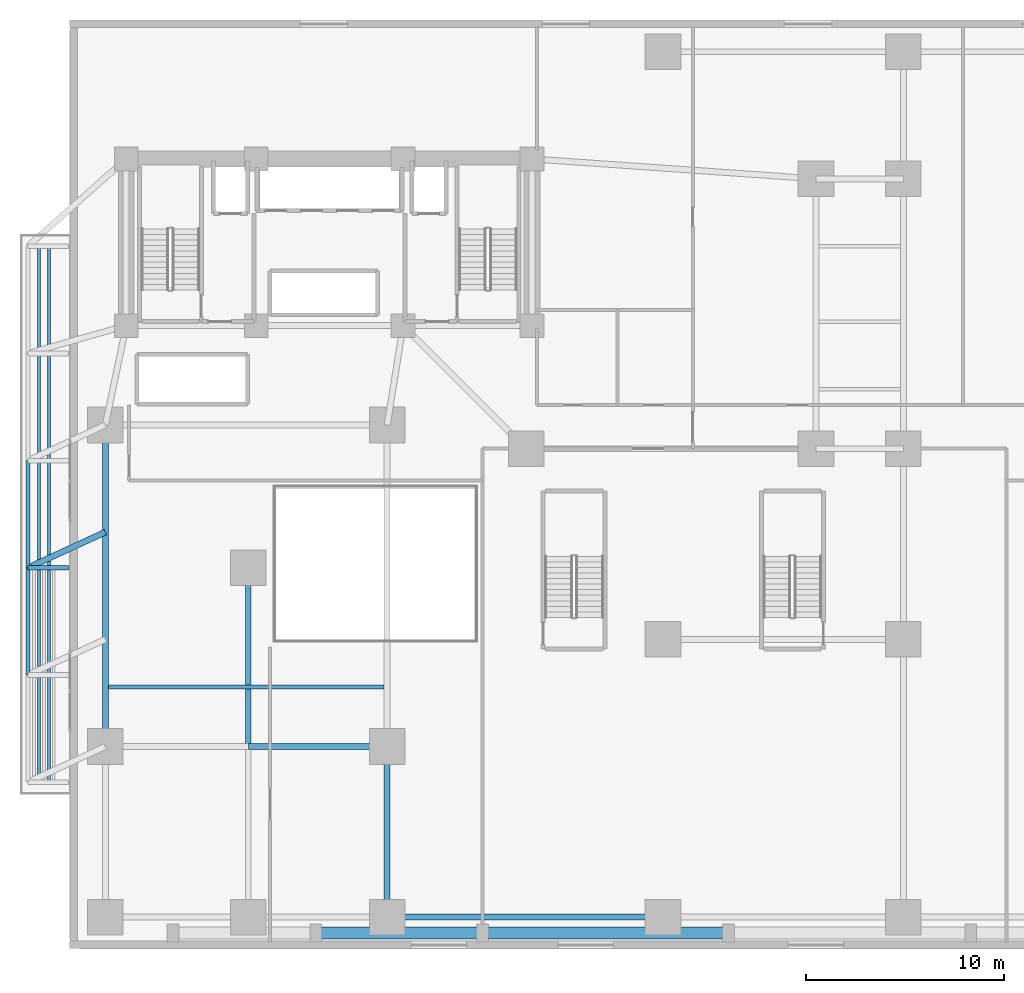
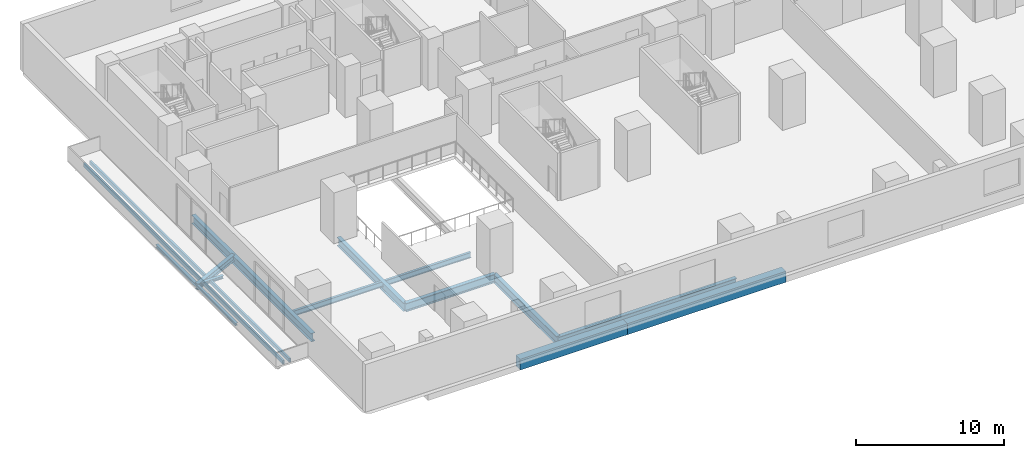
# One storey, part 3 of 13: 12 beams, 2 members.
"""IFC4 building model written with IfcOpenShell, lengths in metres."""

from ifc_helpers import new_model, si_unit, direction, frame, origin, origin_2d, place, context, subcontext, project, spatial, rectangle, hollow_rectangle, i_section, extrude, material, material_profile, profile_set, type_object, element, save


model = new_model("IFC4")

# Units and contexts
model_context = context("Model", 3, precision=1e-05, world=origin(), true_north=direction((0.0, 1.0)))
body_context = subcontext(model_context, "Body", "Model", "MODEL_VIEW")
ifc_project = project(units=[si_unit("LENGTHUNIT", "METRE"), si_unit("AREAUNIT", "SQUARE_METRE"), si_unit("VOLUMEUNIT", "CUBIC_METRE"), si_unit("PLANEANGLEUNIT", "RADIAN"), si_unit("MASSUNIT", "GRAM", prefix="KILO")], contexts=[model_context])

# Site, building, storey
site_placement = place(None, origin())
site = spatial("IfcSite", under=ifc_project, at=site_placement, CompositionType="ELEMENT")
building_placement = place(site_placement, origin())
building = spatial("IfcBuilding", under=site, at=building_placement, Name="Kuzgunbayir Cultural Tower", CompositionType="ELEMENT")
storey_placement = place(building_placement, frame((0.0, 0.0, 4.60009765625)))
storey = spatial("IfcBuildingStorey", under=building, at=storey_placement, Name="L01", CompositionType="ELEMENT", Elevation=4.60009765625)

# Beams
ifc_material_1 = material(Name="Steel S355J2", Category="steel")
ifc_material_profile_1 = material_profile(ifc_material_1, i_section(OverallWidth=0.199951171875, OverallDepth=0.199951171875, WebThickness=0.009033203125, FlangeThickness=0.014892578125, FilletRadius=0.01806640625, at=origin_2d()), Name="HEB 200")
ifc_profile_set_1 = profile_set([ifc_material_profile_1], Name="Steel S355J2")
beam_type_1 = type_object("IfcBeamType", Name="BM-CAN-HEB200", PredefinedType="BEAM", material=ifc_profile_set_1)
beam_1_placement = place(storey_placement, frame((1.5, 16.199951171875, -0.35009765625), z_axis=(0.0, 1.0, 0.0), x_axis=(-1.0, 0.0, 0.0)))
element("IfcBeam", 1, at=beam_1_placement, inside=storey, type_object=beam_type_1, Name="L01 Entrance Canopy Edge Beam 2", PredefinedType="BEAM", context=body_context, shape_type="SweptSolid", body=[
    extrude(i_section(OverallWidth=0.199951171875, OverallDepth=0.199951171875, WebThickness=0.009033203125, FlangeThickness=0.014892578125, FilletRadius=0.01806640625, at=origin_2d()), origin(), (0.0, 0.0, 1.0), 5.400146484375),
])
ifc_material_profile_2 = material_profile(ifc_material_1, i_section(OverallWidth=0.219970703125, OverallDepth=0.219970703125, WebThickness=0.009521484375, FlangeThickness=0.01611328125, FilletRadius=0.01806640625, at=origin_2d()), Name="HEB 220")
ifc_profile_set_2 = profile_set([ifc_material_profile_2], Name="Steel S355J2")
beam_type_2 = type_object("IfcBeamType", Name="BM-CAN-HEB220", PredefinedType="BEAM", material=ifc_profile_set_2)
beam_2_placement = place(storey_placement, frame((1.5, 21.60009765625, -0.360107421875), z_axis=(0.0, 1.0, 0.0), x_axis=(-1.0, 0.0, 0.0)))
element("IfcBeam", 2, at=beam_2_placement, inside=storey, type_object=beam_type_2, Name="L01 Entrance Canopy Edge Beam 3", PredefinedType="BEAM", context=body_context, shape_type="SweptSolid", body=[
    extrude(i_section(OverallWidth=0.219970703125, OverallDepth=0.219970703125, WebThickness=0.009521484375, FlangeThickness=0.01611328125, FilletRadius=0.01806640625, at=origin_2d()), origin(), (0.0, 0.0, 1.0), 5.39990234375),
])
ifc_material_profile_3 = material_profile(ifc_material_1, i_section(OverallWidth=0.239990234375, OverallDepth=0.239990234375, WebThickness=0.010009765625, FlangeThickness=0.01708984375, FilletRadius=0.02099609375, at=origin_2d()), Name="HEB 240")
ifc_profile_set_3 = profile_set([ifc_material_profile_3], Name="Steel S355J2")
beam_type_3 = type_object("IfcBeamType", Name="BM-CAN-HEB240", PredefinedType="BEAM", material=ifc_profile_set_3)
beam_3_placement = place(storey_placement, frame((1.5, 21.60009765625, -0.3701171875), z_axis=(1.0, 0.0, 0.0), x_axis=(0.0, 1.0, 0.0)))
element("IfcBeam", 3, at=beam_3_placement, inside=storey, type_object=beam_type_3, Name="L01 Entrance Canopy Cantilever 3", PredefinedType="BEAM", context=body_context, shape_type="SweptSolid", body=[
    extrude(i_section(OverallWidth=0.239990234375, OverallDepth=0.239990234375, WebThickness=0.010009765625, FlangeThickness=0.01708984375, FilletRadius=0.02099609375, at=origin_2d()), origin(), (0.0, 0.0, 1.0), 2.050048828125),
])
ifc_material_profile_4 = material_profile(ifc_material_1, i_section(OverallWidth=0.300048828125, OverallDepth=0.5, WebThickness=0.014404296875, FlangeThickness=0.028076171875, FilletRadius=0.027099609375, at=origin_2d()), Name="HEB 500")
ifc_profile_set_4 = profile_set([ifc_material_profile_4], Name="Steel S355J2")
beam_type_4 = type_object("IfcBeamType", Name="BM-EXT-HEB500", PredefinedType="BEAM", material=ifc_profile_set_4)
beam_4_placement = place(storey_placement, frame((1.5, 21.60009765625, -0.5), z_axis=(0.907972693075, 0.419029341013, 0.0), x_axis=(-0.419029341013, 0.907972693075, 0.0)))
element("IfcBeam", 4, at=beam_4_placement, inside=storey, type_object=beam_type_4, Name="L01 Colonnade Structural Tie Mid-North", PredefinedType="BEAM", context=body_context, shape_type="SweptSolid", body=[
    extrude(i_section(OverallWidth=0.300048828125, OverallDepth=0.5, WebThickness=0.014404296875, FlangeThickness=0.028076171875, FilletRadius=0.027099609375, at=origin_2d()), origin(), (0.0, 0.0, 1.0), 4.295166015625),
])
ifc_material_profile_5 = material_profile(ifc_material_1, i_section(OverallWidth=0.300048828125, OverallDepth=0.699951171875, WebThickness=0.01708984375, FlangeThickness=0.031982421875, FilletRadius=0.027099609375, at=origin_2d()), Name="HEB 700")
ifc_profile_set_5 = profile_set([ifc_material_profile_5], Name="Steel S355J2")
beam_type_5 = type_object("IfcBeamType", Name="BM-GIR-HEB700", PredefinedType="BEAM", material=ifc_profile_set_5)
beam_5_placement = place(storey_placement, frame((19.60009765625, 4.0, -0.60009765625), z_axis=(1.0, 0.0, 0.0), x_axis=(0.0, 1.0, 0.0)))
element("IfcBeam", 5, at=beam_5_placement, inside=storey, type_object=beam_type_5, Name="L01 Podium South Girder 3", PredefinedType="BEAM", context=body_context, shape_type="SweptSolid", body=[
    extrude(i_section(OverallWidth=0.300048828125, OverallDepth=0.699951171875, WebThickness=0.01708984375, FlangeThickness=0.031982421875, FilletRadius=0.027099609375, at=origin_2d()), origin(), (0.0, 0.0, 1.0), 13.89990234375),
])
beam_6_placement = place(storey_placement, frame((12.60009765625, 12.60009765625, -0.60009765625), z_axis=(1.0, 0.0, 0.0), x_axis=(0.0, 1.0, 0.0)))
element("IfcBeam", 6, at=beam_6_placement, inside=storey, type_object=beam_type_5, Name="L01 Podium Primary Girder 2", PredefinedType="BEAM", context=body_context, shape_type="SweptSolid", body=[
    extrude(i_section(OverallWidth=0.300048828125, OverallDepth=0.699951171875, WebThickness=0.01708984375, FlangeThickness=0.031982421875, FilletRadius=0.027099609375, at=origin_2d()), origin(), (0.0, 0.0, 1.0), 7.0),
])
beam_7_placement = place(storey_placement, frame((5.39990234375, 12.60009765625, -0.60009765625), z_axis=(0.0, 1.0, 0.0), x_axis=(-1.0, 0.0, 0.0)))
element("IfcBeam", 7, at=beam_7_placement, inside=storey, type_object=beam_type_5, Name="L01 Podium Primary Girder 4", PredefinedType="BEAM", context=body_context, shape_type="SweptSolid", body=[
    extrude(i_section(OverallWidth=0.300048828125, OverallDepth=0.699951171875, WebThickness=0.01708984375, FlangeThickness=0.031982421875, FilletRadius=0.027099609375, at=origin_2d()), origin(), (0.0, 0.0, 1.0), 16.199951171875),
])
beam_8_placement = place(storey_placement, frame((12.60009765625, 12.60009765625, -0.60009765625), z_axis=(0.0, 1.0, 0.0), x_axis=(-1.0, 0.0, 0.0)))
element("IfcBeam", 8, at=beam_8_placement, inside=storey, type_object=beam_type_5, Name="L01 Podium Primary Girder 6", PredefinedType="BEAM", context=body_context, shape_type="SweptSolid", body=[
    extrude(i_section(OverallWidth=0.300048828125, OverallDepth=0.699951171875, WebThickness=0.01708984375, FlangeThickness=0.031982421875, FilletRadius=0.027099609375, at=origin_2d()), origin(), (0.0, 0.0, 1.0), 9.0),
])
beam_9_placement = place(storey_placement, frame((19.60009765625, 4.0, -0.60009765625), z_axis=(0.0, 1.0, 0.0), x_axis=(-1.0, 0.0, 0.0)))
element("IfcBeam", 9, at=beam_9_placement, inside=storey, type_object=beam_type_5, Name="L01 Podium Primary Girder 35", PredefinedType="BEAM", context=body_context, shape_type="SweptSolid", body=[
    extrude(i_section(OverallWidth=0.300048828125, OverallDepth=0.699951171875, WebThickness=0.01708984375, FlangeThickness=0.031982421875, FilletRadius=0.027099609375, at=origin_2d()), origin(), (0.0, 0.0, 1.0), 8.60009765625),
])
ifc_material_profile_6 = material_profile(ifc_material_1, i_section(OverallWidth=0.18994140625, OverallDepth=0.449951171875, WebThickness=0.009521484375, FlangeThickness=0.0146484375, FilletRadius=0.02099609375, at=origin_2d()), Name="IPE 450")
ifc_profile_set_6 = profile_set([ifc_material_profile_6], Name="Steel S355J2")
beam_type_6 = type_object("IfcBeamType", Name="BM-JST-IPE450", PredefinedType="JOIST", material=ifc_profile_set_6)
beam_10_placement = place(storey_placement, frame((5.550048828125, 15.60009765625, -0.47998046875), z_axis=(1.0, 0.0, 0.0), x_axis=(0.0, 1.0, 0.0)))
element("IfcBeam", 10, at=beam_10_placement, inside=storey, type_object=beam_type_6, Name="L01 Podium Joist A", PredefinedType="JOIST", context=body_context, shape_type="SweptSolid", body=[
    extrude(i_section(OverallWidth=0.18994140625, OverallDepth=0.449951171875, WebThickness=0.009521484375, FlangeThickness=0.0146484375, FilletRadius=0.02099609375, at=origin_2d()), origin(), (0.0, 0.0, 1.0), 13.89990234375),
])
ifc_material_2 = material(Name="Concrete C40/50", Category="concrete")
ifc_material_profile_7 = material_profile(ifc_material_2, rectangle(XDim=0.60009765625, YDim=0.89990234375, at=origin_2d()), Name="RC 600x900")
ifc_profile_set_7 = profile_set([ifc_material_profile_7], Name="Concrete C40/50")
beam_type_7 = type_object("IfcBeamType", Name="BM-SPN-RC600x900", PredefinedType="SPANDREL", material=ifc_profile_set_7)
beam_11_placement = place(storey_placement, frame((16.0, 3.199951171875, -0.7001953125), z_axis=(1.0, 0.0, 0.0), x_axis=(0.0, 1.0, 0.0)))
element("IfcBeam", 11, at=beam_11_placement, inside=storey, type_object=beam_type_7, Name="L01 South Edge Girder 2", PredefinedType="SPANDREL", context=body_context, shape_type="SweptSolid", body=[
    extrude(rectangle(XDim=0.60009765625, YDim=0.89990234375, at=origin_2d()), origin(), (0.0, 0.0, 1.0), 8.39990234375),
])
beam_12_placement = place(storey_placement, frame((24.39990234375, 3.199951171875, -0.7001953125), z_axis=(1.0, 0.0, 0.0), x_axis=(0.0, 1.0, 0.0)))
element("IfcBeam", 12, at=beam_12_placement, inside=storey, type_object=beam_type_7, Name="L01 South Edge Girder 3", PredefinedType="SPANDREL", context=body_context, shape_type="SweptSolid", body=[
    extrude(rectangle(XDim=0.60009765625, YDim=0.89990234375, at=origin_2d()), origin(), (0.0, 0.0, 1.0), 12.400146484375),
])

# Members
ifc_material_profile_8 = material_profile(ifc_material_1, hollow_rectangle(XDim=0.14990234375, YDim=0.300048828125, WallThickness=0.012451171875, at=origin_2d()), Name="RHS 300x150x12.5")
ifc_profile_set_8 = profile_set([ifc_material_profile_8], Name="Steel S355J2")
member_type = type_object("IfcMemberType", Name="MEM-PRL-RHS300", PredefinedType="PURLIN", material=ifc_profile_set_8)
for number, where, z_axis, x_axis, name in (
    (13, (2.050048828125, 10.800048828125, -0.41015625), (0.0, 1.0, 0.0), (-1.0, 0.0, 0.0), "L01 Entrance Canopy Purlin 4"),
    (14, (2.550048828125, 10.800048828125, -0.41015625), (0.0, 1.0, 0.0), (-1.0, 0.0, 0.0), "L01 Entrance Canopy Purlin 5"),
):
    element("IfcMember", number, at=place(storey_placement, frame(where, z_axis=z_axis, x_axis=x_axis)), inside=storey, type_object=member_type, Name=name, PredefinedType="PURLIN", context=body_context, shape_type="SweptSolid", body=[
        extrude(hollow_rectangle(XDim=0.14990234375, YDim=0.300048828125, WallThickness=0.012451171875, at=origin_2d()), origin(), (0.0, 0.0, 1.0), 27.0),
    ])

save(model, "model.ifc")
